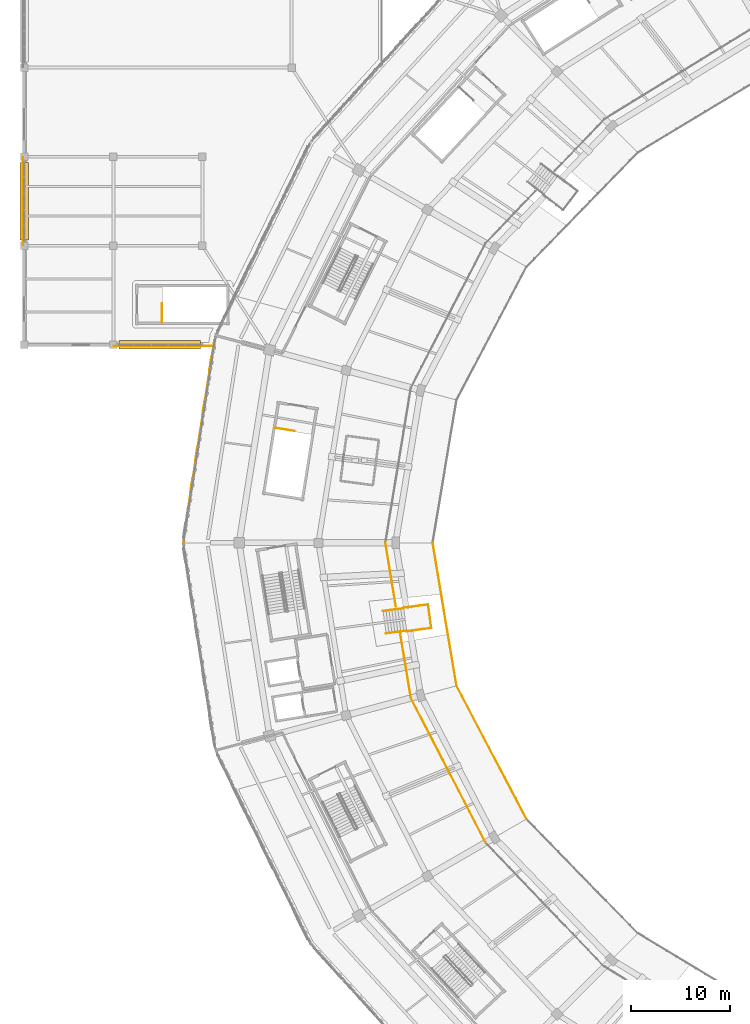
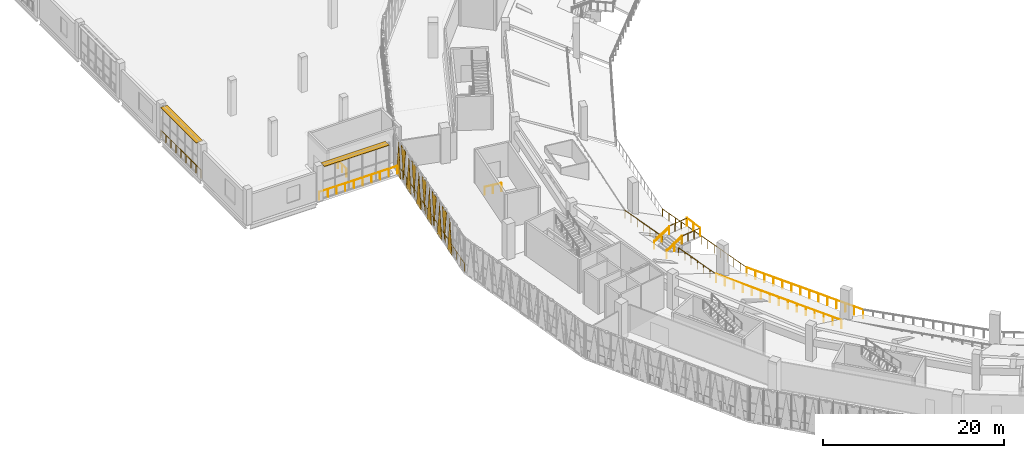
# One storey, part 122 of 152: 17 railings, 11 coverings, 2 shading devices.
"""IFC4 building model written with IfcOpenShell, lengths in metres."""

from ifc_helpers import new_model, si_unit, direction, frame, origin, origin_2d, place, context, subcontext, project, spatial, polyline, rectangle, circle, outline, extrude, material, layer, layer_set, type_object, element, save


model = new_model("IFC4")

# Units and contexts
model_context = context("Model", 3, precision=1e-05, world=origin(), true_north=direction((0.0, 1.0)))
body_context = subcontext(model_context, "Body", "Model", "MODEL_VIEW")
ifc_project = project(units=[si_unit("LENGTHUNIT", "METRE"), si_unit("AREAUNIT", "SQUARE_METRE"), si_unit("VOLUMEUNIT", "CUBIC_METRE"), si_unit("PLANEANGLEUNIT", "RADIAN"), si_unit("MASSUNIT", "GRAM", prefix="KILO")], contexts=[model_context])

# Site, building, storey
site_placement = place(None, origin())
site = spatial("IfcSite", under=ifc_project, at=site_placement, CompositionType="ELEMENT")
building_placement = place(site_placement, origin())
building = spatial("IfcBuilding", under=site, at=building_placement, Name="Zevraka Park Crest Stadium", CompositionType="ELEMENT")
storey_placement = place(building_placement, frame((0.0, 0.0, 15.0)))
storey = spatial("IfcBuildingStorey", under=building, at=storey_placement, Name="L03", CompositionType="ELEMENT", Elevation=15.0)

# Coverings
ifc_material_1 = material(Name="Architectural golden-bronze perforated aluminium", Category="aluminium")
ifc_layer_1 = layer(ifc_material_1, 0.034912109375)
ifc_layer_set_1 = layer_set([ifc_layer_1], Name="Architectural golden-bronze perforated aluminium")
covering_type = type_object("IfcCoveringType", Name="CLD01", PredefinedType="CLADDING", material=ifc_layer_set_1)
covering_1_placement = place(storey_placement, frame((19.18896484375, 112.43994140625, -0.260009765625), z_axis=(-0.988065896343, 0.154031762949, 2.2036412e-05), x_axis=(-0.154031762987, -0.988065896583, 0.0)))
element("IfcCovering", 1, at=covering_1_placement, inside=storey, type_object=covering_type, Name="Triangular Golden-Bronze Perforated Cladding L03-11-1", PredefinedType="CLADDING", context=body_context, shape_type="SweptSolid", body=[
    extrude(outline(polyline([(0.0, 0.0), (1.4027266125847992, 0.0), (0.7012238900741903, 4.620117188621773), (0.0, 0.0)])), origin(), (0.0, 0.0, -1.0), 0.034912109375),
])
covering_2_placement = place(storey_placement, frame((18.73193359375, 109.510009765625, 4.52001953125), z_axis=(0.988065896064, -0.154031762906, 3.2422008e-05), x_axis=(0.154031762987, 0.988065896583, 0.0)))
element("IfcCovering", 2, at=covering_2_placement, inside=storey, type_object=covering_type, Name="Triangular Golden-Bronze Perforated Cladding L03-11-2", PredefinedType="CLADDING", context=body_context, shape_type="SweptSolid", body=[
    extrude(outline(polyline([(0.0, 0.0), (1.4027266125847992, 8.470329472543003e-22), (0.7012614954850758, -4.3000488303850775), (0.0, 0.0)])), origin(), (0.0, 0.0, -1.0), 0.034912109375),
])
covering_3_placement = place(storey_placement, frame((18.70703125, 109.35205078125, -0.260009765625), z_axis=(-0.988065896134, 0.154031762917, 3.0175905e-05), x_axis=(-0.154031762987, -0.988065896583, 0.0)))
element("IfcCovering", 3, at=covering_3_placement, inside=storey, type_object=covering_type, Name="Triangular Golden-Bronze Perforated Cladding L03-11-3", PredefinedType="CLADDING", context=body_context, shape_type="SweptSolid", body=[
    extrude(outline(polyline([(0.0, 0.0), (1.4027266125847992, 0.0), (0.7014651170997235, 4.620117189603506), (0.0, 0.0)])), origin(), (0.0, 0.0, -1.0), 0.034912109375),
])
covering_4_placement = place(storey_placement, frame((18.25, 106.422119140625, 4.52001953125), z_axis=(-0.988065896306, 0.154031762944, 2.3676663e-05), x_axis=(0.154031762987, 0.988065896583, 0.0)))
element("IfcCovering", 4, at=covering_4_placement, inside=storey, type_object=covering_type, Name="Triangular Golden-Bronze Perforated Cladding L03-11-4", PredefinedType="CLADDING", context=body_context, shape_type="SweptSolid", body=[
    extrude(outline(polyline([(0.0, 0.0), (1.4027266125847992, 0.0), (0.7012238900741903, 4.3000488293302706), (0.0, 0.0)])), origin(), (0.0, 0.0, -1.0), 0.034912109375),
])
covering_5_placement = place(storey_placement, frame((18.22607421875, 106.262939453125, -0.260009765625), z_axis=(0.987959709877, -0.154711323248, 0.000134604467), x_axis=(-0.15471132465, -0.987959718827, 0.0)))
element("IfcCovering", 5, at=covering_5_placement, inside=storey, type_object=covering_type, Name="Triangular Golden-Bronze Perforated Cladding L03-11-5", PredefinedType="CLADDING", context=body_context, shape_type="SweptSolid", body=[
    extrude(outline(polyline([(0.0, 0.0), (1.402877366063389, 3.3881317890172014e-21), (0.7014125107788164, -4.62011722935448), (0.0, 0.0)])), origin(), (0.0, 0.0, -1.0), 0.034912109375),
])
covering_6_placement = place(storey_placement, frame((17.76806640625, 103.3330078125, 4.52001953125), z_axis=(-0.987959709712, 0.154711323222, 0.000135839642), x_axis=(0.15471132465, 0.987959718827, 0.0)))
element("IfcCovering", 6, at=covering_6_placement, inside=storey, type_object=covering_type, Name="Triangular Golden-Bronze Perforated Cladding L03-11-6", PredefinedType="CLADDING", context=body_context, shape_type="SweptSolid", body=[
    extrude(outline(polyline([(0.0, 0.0), (1.402877366063389, 3.3881317890172014e-21), (0.7012236541813434, 4.300048867798131), (0.0, 0.0)])), origin(), (0.0, 0.0, -1.0), 0.034912109375),
])
covering_7_placement = place(storey_placement, frame((17.743896484375, 103.175048828125, -0.260009765625), z_axis=(-0.987986299127, 0.154541453871, 0.000108499436), x_axis=(-0.154541454781, -0.987986304943, 0.0)))
element("IfcCovering", 7, at=covering_7_placement, inside=storey, type_object=covering_type, Name="Triangular Golden-Bronze Perforated Cladding L03-11-7", PredefinedType="CLADDING", context=body_context, shape_type="SweptSolid", body=[
    extrude(outline(polyline([(0.0, 0.0), (1.4028396154796832, 0.0), (0.7014649518421147, 4.620117214694304), (0.0, 0.0)])), origin(), (0.0, 0.0, -1.0), 0.034912109375),
])
covering_8_placement = place(storey_placement, frame((17.285888671875, 100.2451171875, 4.52001953125), z_axis=(0.987959708495, -0.154711323032, 0.00014462357), x_axis=(0.15471132465, 0.987959718827, 0.0)))
element("IfcCovering", 8, at=covering_8_placement, inside=storey, type_object=covering_type, Name="Triangular Golden-Bronze Perforated Cladding L03-11-8", PredefinedType="CLADDING", context=body_context, shape_type="SweptSolid", body=[
    extrude(outline(polyline([(0.0, 0.0), (1.4028773660633889, 0.0), (0.7014125107788164, -4.3000488730948625), (0.0, 0.0)])), origin(), (0.0, 0.0, -1.0), 0.034912109375),
])
covering_9_placement = place(storey_placement, frame((17.261962890625, 100.0869140625, -0.260009765625), z_axis=(-0.987959710931, 0.154711323413, 0.000126429064), x_axis=(-0.15471132465, -0.987959718827, 0.0)))
element("IfcCovering", 9, at=covering_9_placement, inside=storey, type_object=covering_type, Name="Triangular Golden-Bronze Perforated Cladding L03-11-9", PredefinedType="CLADDING", context=body_context, shape_type="SweptSolid", body=[
    extrude(outline(polyline([(0.0, 0.0), (1.402877366063389, 3.3881317890172014e-21), (0.7012236541813434, 4.62011722442469), (0.0, 0.0)])), origin(), (0.0, 0.0, -1.0), 0.034912109375),
])
covering_10_placement = place(storey_placement, frame((16.804931640625, 97.156005859375, 4.52001953125), z_axis=(0.988065896306, -0.154031762944, 2.3676663e-05), x_axis=(0.154031762987, 0.988065896583, 0.0)))
element("IfcCovering", 10, at=covering_10_placement, inside=storey, type_object=covering_type, Name="Triangular Golden-Bronze Perforated Cladding L03-11-10", PredefinedType="CLADDING", context=body_context, shape_type="SweptSolid", body=[
    extrude(outline(polyline([(0.0, 0.0), (1.4027266125847992, 0.0), (0.7015027225106089, -4.3000488293302706), (0.0, 0.0)])), origin(), (0.0, 0.0, -1.0), 0.034912109375),
])
covering_11_placement = place(storey_placement, frame((16.780029296875, 96.998046875, -0.260009765625), z_axis=(-0.988065896134, 0.154031762917, 3.0175905e-05), x_axis=(-0.154031762987, -0.988065896583, 0.0)))
element("IfcCovering", 11, at=covering_11_placement, inside=storey, type_object=covering_type, Name="Triangular Golden-Bronze Perforated Cladding L03-11-11", PredefinedType="CLADDING", context=body_context, shape_type="SweptSolid", body=[
    extrude(outline(polyline([(0.0, 0.0), (1.4027266125847992, 0.0), (0.7014651170997235, 4.620117189603506), (0.0, 0.0)])), origin(), (0.0, 0.0, -1.0), 0.034912109375),
])

# Railings
ifc_material_2 = material(Name="Galvanised and bronze-finished steel balustrade", Category="steel")
railing_type_1 = type_object("IfcRailingType", Name="GR01", PredefinedType="GUARDRAIL", material=ifc_material_2)
railing_1_placement = place(storey_placement, frame((16.071044921875, 92.0, 0.0)))
element("IfcRailing", 12, at=railing_1_placement, inside=storey, type_object=railing_type_1, Name="Deck Edge Protection Guardrail GR01 L03-47", PredefinedType="GUARDRAIL", context=body_context, shape_type="SweptSolid", body=[
    extrude(circle(Radius=0.02392578125, at=origin_2d()), frame((0.0, 0.0, 1.076171875), z_axis=(0.153618172752, 0.988130283414, 0.0), x_axis=(-0.988130283414, 0.153618172752, 0.0)), (0.0, 0.0, 1.0), 20.035888671875),
    extrude(circle(Radius=0.02099609375, at=origin_2d()), origin(), (0.0, 0.0, 1.0), 1.052001953125),
    extrude(circle(Radius=0.02099609375, at=origin_2d()), frame((0.18115234375, 1.16455078125, 0.0)), (0.0, 0.0, 1.0), 1.052001953125),
    extrude(circle(Radius=0.02099609375, at=origin_2d()), frame((0.362060546875, 2.3291015625, 0.0)), (0.0, 0.0, 1.0), 1.052001953125),
    extrude(circle(Radius=0.02099609375, at=origin_2d()), frame((0.543212890625, 3.493896484375, 0.0)), (0.0, 0.0, 1.0), 1.052001953125),
    extrude(circle(Radius=0.02099609375, at=origin_2d()), frame((0.72412109375, 4.658447265625, 0.0)), (0.0, 0.0, 1.0), 1.052001953125),
    extrude(circle(Radius=0.02099609375, at=origin_2d()), frame((0.9052734375, 5.822998046875, 0.0)), (0.0, 0.0, 1.0), 1.052001953125),
    extrude(circle(Radius=0.02099609375, at=origin_2d()), frame((1.08642578125, 6.987548828125, 0.0)), (0.0, 0.0, 1.0), 1.052001953125),
    extrude(circle(Radius=0.02099609375, at=origin_2d()), frame((1.267333984375, 8.152099609375, 0.0)), (0.0, 0.0, 1.0), 1.052001953125),
    extrude(circle(Radius=0.02099609375, at=origin_2d()), frame((1.448486328125, 9.316650390625, 0.0)), (0.0, 0.0, 1.0), 1.052001953125),
    extrude(circle(Radius=0.02099609375, at=origin_2d()), frame((1.62939453125, 10.4814453125, 0.0)), (0.0, 0.0, 1.0), 1.052001953125),
    extrude(circle(Radius=0.02099609375, at=origin_2d()), frame((1.810546875, 11.64599609375, 0.0)), (0.0, 0.0, 1.0), 1.052001953125),
    extrude(circle(Radius=0.02099609375, at=origin_2d()), frame((1.991455078125, 12.810546875, 0.0)), (0.0, 0.0, 1.0), 1.052001953125),
    extrude(circle(Radius=0.02099609375, at=origin_2d()), frame((2.172607421875, 13.97509765625, 0.0)), (0.0, 0.0, 1.0), 1.052001953125),
    extrude(circle(Radius=0.02099609375, at=origin_2d()), frame((2.353759765625, 15.1396484375, 0.0)), (0.0, 0.0, 1.0), 1.052001953125),
    extrude(circle(Radius=0.02099609375, at=origin_2d()), frame((2.53466796875, 16.30419921875, 0.0)), (0.0, 0.0, 1.0), 1.052001953125),
    extrude(circle(Radius=0.02099609375, at=origin_2d()), frame((2.7158203125, 17.468994140625, 0.0)), (0.0, 0.0, 1.0), 1.052001953125),
    extrude(circle(Radius=0.02099609375, at=origin_2d()), frame((2.896728515625, 18.633544921875, 0.0)), (0.0, 0.0, 1.0), 1.052001953125),
    extrude(circle(Radius=0.02099609375, at=origin_2d()), frame((3.077880859375, 19.798095703125, 0.0)), (0.0, 0.0, 1.0), 1.052001953125),
])
railing_2_placement = place(storey_placement, frame((19.02294921875, 111.89501953125, 0.0)))
element("IfcRailing", 13, at=railing_2_placement, inside=storey, type_object=railing_type_1, Name="Deck Edge Protection Guardrail GR01 L03-48", PredefinedType="GUARDRAIL", context=body_context, shape_type="SweptSolid", body=[
    extrude(circle(Radius=0.02392578125, at=origin_2d()), frame((0.0, 0.0, 1.076171875), z_axis=(-1.0, 0.0, 0.0), x_axis=(0.0, -1.0, 0.0)), (0.0, 0.0, 1.0), 9.95703125),
    extrude(circle(Radius=0.02099609375, at=origin_2d()), origin(), (0.0, 0.0, 1.0), 1.052001953125),
    extrude(circle(Radius=0.02099609375, at=origin_2d()), frame((-1.1064453125, 0.0, 0.0)), (0.0, 0.0, 1.0), 1.052001953125),
    extrude(circle(Radius=0.02099609375, at=origin_2d()), frame((-2.212646484375, 0.0, 0.0)), (0.0, 0.0, 1.0), 1.052001953125),
    extrude(circle(Radius=0.02099609375, at=origin_2d()), frame((-3.319091796875, 0.0, 0.0)), (0.0, 0.0, 1.0), 1.052001953125),
    extrude(circle(Radius=0.02099609375, at=origin_2d()), frame((-4.42529296875, 0.0, 0.0)), (0.0, 0.0, 1.0), 1.052001953125),
    extrude(circle(Radius=0.02099609375, at=origin_2d()), frame((-5.53173828125, 0.0, 0.0)), (0.0, 0.0, 1.0), 1.052001953125),
    extrude(circle(Radius=0.02099609375, at=origin_2d()), frame((-6.637939453125, 0.0, 0.0)), (0.0, 0.0, 1.0), 1.052001953125),
    extrude(circle(Radius=0.02099609375, at=origin_2d()), frame((-7.744384765625, 0.0, 0.0)), (0.0, 0.0, 1.0), 1.052001953125),
    extrude(circle(Radius=0.02099609375, at=origin_2d()), frame((-8.8505859375, 0.0, 0.0)), (0.0, 0.0, 1.0), 1.052001953125),
    extrude(circle(Radius=0.02099609375, at=origin_2d()), frame((-9.95703125, 0.0, 0.0)), (0.0, 0.0, 1.0), 1.052001953125),
])
railing_3_placement = place(storey_placement, frame((-0.10498046875, 122.06591796875, 0.0)))
element("IfcRailing", 14, at=railing_3_placement, inside=storey, type_object=railing_type_1, Name="Deck Edge Protection Guardrail GR01 L03-49", PredefinedType="GUARDRAIL", context=body_context, shape_type="SweptSolid", body=[
    extrude(circle(Radius=0.02392578125, at=origin_2d()), frame((0.0, 0.0, 1.076171875), z_axis=(0.0, 1.0, 0.0), x_axis=(-1.0, 0.0, 0.0)), (0.0, 0.0, 1.0), 8.8681640625),
    extrude(circle(Radius=0.02099609375, at=origin_2d()), origin(), (0.0, 0.0, 1.0), 1.052001953125),
    extrude(circle(Radius=0.02099609375, at=origin_2d()), frame((0.0, 1.1083984375, 0.0)), (0.0, 0.0, 1.0), 1.052001953125),
    extrude(circle(Radius=0.02099609375, at=origin_2d()), frame((0.0, 2.217041015625, 0.0)), (0.0, 0.0, 1.0), 1.052001953125),
    extrude(circle(Radius=0.02099609375, at=origin_2d()), frame((0.0, 3.32568359375, 0.0)), (0.0, 0.0, 1.0), 1.052001953125),
    extrude(circle(Radius=0.02099609375, at=origin_2d()), frame((0.0, 4.43408203125, 0.0)), (0.0, 0.0, 1.0), 1.052001953125),
    extrude(circle(Radius=0.02099609375, at=origin_2d()), frame((0.0, 5.54248046875, 0.0)), (0.0, 0.0, 1.0), 1.052001953125),
    extrude(circle(Radius=0.02099609375, at=origin_2d()), frame((0.0, 6.651123046875, 0.0)), (0.0, 0.0, 1.0), 1.052001953125),
    extrude(circle(Radius=0.02099609375, at=origin_2d()), frame((0.0, 7.759765625, 0.0)), (0.0, 0.0, 1.0), 1.052001953125),
    extrude(circle(Radius=0.02099609375, at=origin_2d()), frame((0.0, 8.8681640625, 0.0)), (0.0, 0.0, 1.0), 1.052001953125),
])
railing_4_placement = place(storey_placement, frame((36.48095703125, 92.010986328125, 0.0)))
element("IfcRailing", 15, at=railing_4_placement, inside=storey, type_object=railing_type_1, Name="Deck Edge Protection Guardrail GR01 L03-79", PredefinedType="GUARDRAIL", context=body_context, shape_type="SweptSolid", body=[
    extrude(circle(Radius=0.02392578125, at=origin_2d()), frame((0.0, 0.0, 1.076171875), z_axis=(0.16161667002, -0.98685361223, 0.0), x_axis=(0.98685361223, 0.16161667002, 0.0)), (0.0, 0.0, 1.0), 6.547119140625),
    extrude(circle(Radius=0.02099609375, at=origin_2d()), origin(), (0.0, 0.0, 1.0), 1.052001953125),
    extrude(circle(Radius=0.02099609375, at=origin_2d()), frame((0.17626953125, -1.076904296875, 0.0)), (0.0, 0.0, 1.0), 1.052001953125),
    extrude(circle(Radius=0.02099609375, at=origin_2d()), frame((0.352783203125, -2.153564453125, 0.0)), (0.0, 0.0, 1.0), 1.052001953125),
    extrude(circle(Radius=0.02099609375, at=origin_2d()), frame((0.529052734375, -3.23046875, 0.0)), (0.0, 0.0, 1.0), 1.052001953125),
    extrude(circle(Radius=0.02099609375, at=origin_2d()), frame((0.705322265625, -4.307373046875, 0.0)), (0.0, 0.0, 1.0), 1.052001953125),
    extrude(circle(Radius=0.02099609375, at=origin_2d()), frame((0.8818359375, -5.384033203125, 0.0)), (0.0, 0.0, 1.0), 1.052001953125),
    extrude(circle(Radius=0.02099609375, at=origin_2d()), frame((1.05810546875, -6.4609375, 0.0)), (0.0, 0.0, 1.0), 1.052001953125),
])
railing_5_placement = place(storey_placement, frame((37.992919921875, 82.785888671875, 0.0)))
element("IfcRailing", 16, at=railing_5_placement, inside=storey, type_object=railing_type_1, Name="Deck Edge Protection Guardrail GR01 L03-80", PredefinedType="GUARDRAIL", context=body_context, shape_type="SweptSolid", body=[
    extrude(circle(Radius=0.02392578125, at=origin_2d()), frame((0.0, 0.0, 1.076171875), z_axis=(0.162742913329, -0.986668507738, 0.0), x_axis=(0.986668507738, 0.162742913329, 0.0)), (0.0, 0.0, 1.0), 6.55126953125),
    extrude(circle(Radius=0.02099609375, at=origin_2d()), origin(), (0.0, 0.0, 1.0), 1.052001953125),
    extrude(circle(Radius=0.02099609375, at=origin_2d()), frame((0.177734375, -1.077392578125, 0.0)), (0.0, 0.0, 1.0), 1.052001953125),
    extrude(circle(Radius=0.02099609375, at=origin_2d()), frame((0.35546875, -2.154541015625, 0.0)), (0.0, 0.0, 1.0), 1.052001953125),
    extrude(circle(Radius=0.02099609375, at=origin_2d()), frame((0.533203125, -3.23193359375, 0.0)), (0.0, 0.0, 1.0), 1.052001953125),
    extrude(circle(Radius=0.02099609375, at=origin_2d()), frame((0.710693359375, -4.309326171875, 0.0)), (0.0, 0.0, 1.0), 1.052001953125),
    extrude(circle(Radius=0.02099609375, at=origin_2d()), frame((0.888427734375, -5.386474609375, 0.0)), (0.0, 0.0, 1.0), 1.052001953125),
    extrude(circle(Radius=0.02099609375, at=origin_2d()), frame((1.066162109375, -6.4638671875, 0.0)), (0.0, 0.0, 1.0), 1.052001953125),
])
railing_6_placement = place(storey_placement, frame((39.05908203125, 76.322021484375, 0.0)))
element("IfcRailing", 17, at=railing_6_placement, inside=storey, type_object=railing_type_1, Name="Deck Edge Protection Guardrail GR01 L03-81", PredefinedType="GUARDRAIL", context=body_context, shape_type="SweptSolid", body=[
    extrude(circle(Radius=0.02392578125, at=origin_2d()), frame((0.0, 0.0, 1.076171875), z_axis=(0.459295538886, -0.88828351778, 0.0), x_axis=(0.88828351778, 0.459295538886, 0.0)), (0.0, 0.0, 1.0), 16.425048828125),
    extrude(circle(Radius=0.02099609375, at=origin_2d()), origin(), (0.0, 0.0, 1.0), 1.052001953125),
    extrude(circle(Radius=0.02099609375, at=origin_2d()), frame((0.538818359375, -1.042236328125, 0.0)), (0.0, 0.0, 1.0), 1.052001953125),
    extrude(circle(Radius=0.02099609375, at=origin_2d()), frame((1.07763671875, -2.084228515625, 0.0)), (0.0, 0.0, 1.0), 1.052001953125),
    extrude(circle(Radius=0.02099609375, at=origin_2d()), frame((1.616455078125, -3.12646484375, 0.0)), (0.0, 0.0, 1.0), 1.052001953125),
    extrude(circle(Radius=0.02099609375, at=origin_2d()), frame((2.155517578125, -4.168701171875, 0.0)), (0.0, 0.0, 1.0), 1.052001953125),
    extrude(circle(Radius=0.02099609375, at=origin_2d()), frame((2.6943359375, -5.210693359375, 0.0)), (0.0, 0.0, 1.0), 1.052001953125),
    extrude(circle(Radius=0.02099609375, at=origin_2d()), frame((3.233154296875, -6.2529296875, 0.0)), (0.0, 0.0, 1.0), 1.052001953125),
    extrude(circle(Radius=0.02099609375, at=origin_2d()), frame((3.77197265625, -7.294921875, 0.0)), (0.0, 0.0, 1.0), 1.052001953125),
    extrude(circle(Radius=0.02099609375, at=origin_2d()), frame((4.310791015625, -8.337158203125, 0.0)), (0.0, 0.0, 1.0), 1.052001953125),
    extrude(circle(Radius=0.02099609375, at=origin_2d()), frame((4.849609375, -9.37939453125, 0.0)), (0.0, 0.0, 1.0), 1.052001953125),
    extrude(circle(Radius=0.02099609375, at=origin_2d()), frame((5.388427734375, -10.42138671875, 0.0)), (0.0, 0.0, 1.0), 1.052001953125),
    extrude(circle(Radius=0.02099609375, at=origin_2d()), frame((5.927490234375, -11.463623046875, 0.0)), (0.0, 0.0, 1.0), 1.052001953125),
    extrude(circle(Radius=0.02099609375, at=origin_2d()), frame((6.46630859375, -12.505859375, 0.0)), (0.0, 0.0, 1.0), 1.052001953125),
    extrude(circle(Radius=0.02099609375, at=origin_2d()), frame((7.005126953125, -13.5478515625, 0.0)), (0.0, 0.0, 1.0), 1.052001953125),
    extrude(circle(Radius=0.02099609375, at=origin_2d()), frame((7.5439453125, -14.590087890625, 0.0)), (0.0, 0.0, 1.0), 1.052001953125),
])
ifc_material_3 = material(Name="Laminated glass and stainless steel sightline bowl guard", Category="steel")
railing_type_2 = type_object("IfcRailingType", Name="GR02", PredefinedType="GUARDRAIL", material=ifc_material_3)
railing_7_placement = place(storey_placement, frame((41.25, 92.0, -1.5)))
element("IfcRailing", 18, at=railing_7_placement, inside=storey, type_object=railing_type_2, Name="Upper Tier Cantilever Sightline Guard GR02 12", PredefinedType="GUARDRAIL", context=body_context, shape_type="SweptSolid", body=[
    extrude(circle(Radius=0.02392578125, at=origin_2d()), frame((0.0, 0.0, 1.09619140625), z_axis=(0.164802211823, -0.986326635034, 0.0), x_axis=(0.986326635034, 0.164802211823, 0.0)), (0.0, 0.0, 1.0), 14.62890625),
    extrude(circle(Radius=0.02099609375, at=origin_2d()), origin(), (0.0, 0.0, 1.0), 1.072021484375),
    extrude(circle(Radius=0.02099609375, at=origin_2d()), frame((0.185546875, -1.10986328125, 0.0)), (0.0, 0.0, 1.0), 1.072021484375),
    extrude(circle(Radius=0.02099609375, at=origin_2d()), frame((0.370849609375, -2.2197265625, 0.0)), (0.0, 0.0, 1.0), 1.072021484375),
    extrude(circle(Radius=0.02099609375, at=origin_2d()), frame((0.556396484375, -3.329833984375, 0.0)), (0.0, 0.0, 1.0), 1.072021484375),
    extrude(circle(Radius=0.02099609375, at=origin_2d()), frame((0.74169921875, -4.439697265625, 0.0)), (0.0, 0.0, 1.0), 1.072021484375),
    extrude(circle(Radius=0.02099609375, at=origin_2d()), frame((0.92724609375, -5.549560546875, 0.0)), (0.0, 0.0, 1.0), 1.072021484375),
    extrude(circle(Radius=0.02099609375, at=origin_2d()), frame((1.11279296875, -6.659423828125, 0.0)), (0.0, 0.0, 1.0), 1.072021484375),
    extrude(circle(Radius=0.02099609375, at=origin_2d()), frame((1.298095703125, -7.76953125, 0.0)), (0.0, 0.0, 1.0), 1.072021484375),
    extrude(circle(Radius=0.02099609375, at=origin_2d()), frame((1.483642578125, -8.87939453125, 0.0)), (0.0, 0.0, 1.0), 1.072021484375),
    extrude(circle(Radius=0.02099609375, at=origin_2d()), frame((1.669189453125, -9.9892578125, 0.0)), (0.0, 0.0, 1.0), 1.072021484375),
    extrude(circle(Radius=0.02099609375, at=origin_2d()), frame((1.8544921875, -11.09912109375, 0.0)), (0.0, 0.0, 1.0), 1.072021484375),
    extrude(circle(Radius=0.02099609375, at=origin_2d()), frame((2.0400390625, -12.209228515625, 0.0)), (0.0, 0.0, 1.0), 1.072021484375),
    extrude(circle(Radius=0.02099609375, at=origin_2d()), frame((2.225341796875, -13.319091796875, 0.0)), (0.0, 0.0, 1.0), 1.072021484375),
    extrude(circle(Radius=0.02099609375, at=origin_2d()), frame((2.410888671875, -14.428955078125, 0.0)), (0.0, 0.0, 1.0), 1.072021484375),
])
railing_8_placement = place(storey_placement, frame((43.660888671875, 77.571044921875, -1.5)))
element("IfcRailing", 19, at=railing_8_placement, inside=storey, type_object=railing_type_2, Name="Upper Tier Cantilever Sightline Guard GR02 13", PredefinedType="GUARDRAIL", context=body_context, shape_type="SweptSolid", body=[
    extrude(circle(Radius=0.02392578125, at=origin_2d()), frame((0.0, 0.0, 1.09619140625), z_axis=(0.46529528059, -0.885155524109, 0.0), x_axis=(0.885155524109, 0.46529528059, 0.0)), (0.0, 0.0, 1.0), 15.190673828125),
    extrude(circle(Radius=0.02099609375, at=origin_2d()), origin(), (0.0, 0.0, 1.0), 1.072021484375),
    extrude(circle(Radius=0.02099609375, at=origin_2d()), frame((0.543701171875, -1.034423828125, 0.0)), (0.0, 0.0, 1.0), 1.072021484375),
    extrude(circle(Radius=0.02099609375, at=origin_2d()), frame((1.08740234375, -2.068603515625, 0.0)), (0.0, 0.0, 1.0), 1.072021484375),
    extrude(circle(Radius=0.02099609375, at=origin_2d()), frame((1.631103515625, -3.10302734375, 0.0)), (0.0, 0.0, 1.0), 1.072021484375),
    extrude(circle(Radius=0.02099609375, at=origin_2d()), frame((2.1748046875, -4.13720703125, 0.0)), (0.0, 0.0, 1.0), 1.072021484375),
    extrude(circle(Radius=0.02099609375, at=origin_2d()), frame((2.718505859375, -5.171630859375, 0.0)), (0.0, 0.0, 1.0), 1.072021484375),
    extrude(circle(Radius=0.02099609375, at=origin_2d()), frame((3.26220703125, -6.205810546875, 0.0)), (0.0, 0.0, 1.0), 1.072021484375),
    extrude(circle(Radius=0.02099609375, at=origin_2d()), frame((3.805908203125, -7.240234375, 0.0)), (0.0, 0.0, 1.0), 1.072021484375),
    extrude(circle(Radius=0.02099609375, at=origin_2d()), frame((4.349609375, -8.2744140625, 0.0)), (0.0, 0.0, 1.0), 1.072021484375),
    extrude(circle(Radius=0.02099609375, at=origin_2d()), frame((4.893310546875, -9.308837890625, 0.0)), (0.0, 0.0, 1.0), 1.072021484375),
    extrude(circle(Radius=0.02099609375, at=origin_2d()), frame((5.43701171875, -10.343017578125, 0.0)), (0.0, 0.0, 1.0), 1.072021484375),
    extrude(circle(Radius=0.02099609375, at=origin_2d()), frame((5.980712890625, -11.37744140625, 0.0)), (0.0, 0.0, 1.0), 1.072021484375),
    extrude(circle(Radius=0.02099609375, at=origin_2d()), frame((6.5244140625, -12.41162109375, 0.0)), (0.0, 0.0, 1.0), 1.072021484375),
    extrude(circle(Radius=0.02099609375, at=origin_2d()), frame((7.068115234375, -13.446044921875, 0.0)), (0.0, 0.0, 1.0), 1.072021484375),
])
ifc_material_4 = material(Name="Powder-coated tubular steel stairwell guard", Category="steel")
railing_type_3 = type_object("IfcRailingType", Name="GR03", PredefinedType="GUARDRAIL", material=ifc_material_4)
railing_9_placement = place(storey_placement, frame((25.345703125, 103.610595703125, 0.0)))
element("IfcRailing", 20, at=railing_9_placement, inside=storey, type_object=railing_type_3, Name="L03 ST12 top well guard 1", PredefinedType="GUARDRAIL", context=body_context, shape_type="SweptSolid", body=[
    extrude(circle(Radius=0.02392578125, at=origin_2d()), frame((0.0, 0.0, 1.076171875), z_axis=(0.987546899515, -0.157324890778, 0.0), x_axis=(0.157324890778, 0.987546899515, 0.0)), (0.0, 0.0, 1.0), 1.9599609375),
    extrude(circle(Radius=0.02099609375, at=origin_2d()), origin(), (0.0, 0.0, 1.0), 1.052001953125),
    extrude(circle(Radius=0.02099609375, at=origin_2d()), frame((0.9677734375, -0.154296875, 0.0)), (0.0, 0.0, 1.0), 1.052001953125),
    extrude(circle(Radius=0.02099609375, at=origin_2d()), frame((1.935546875, -0.308349609375, 0.0)), (0.0, 0.0, 1.0), 1.052001953125),
])
railing_10_placement = place(storey_placement, frame((13.89990234375, 114.25, 0.0)))
element("IfcRailing", 21, at=railing_10_placement, inside=storey, type_object=railing_type_3, Name="L03 ST48 top well guard 1", PredefinedType="GUARDRAIL", context=body_context, shape_type="SweptSolid", body=[
    extrude(circle(Radius=0.02392578125, at=origin_2d()), frame((0.0, 0.0, 1.076171875), z_axis=(0.0, 1.0, 0.0), x_axis=(-1.0, 0.0, 0.0)), (0.0, 0.0, 1.0), 1.909912109375),
    extrude(circle(Radius=0.02099609375, at=origin_2d()), origin(), (0.0, 0.0, 1.0), 1.052001953125),
    extrude(circle(Radius=0.02099609375, at=origin_2d()), frame((0.0, 0.955078125, 0.0)), (0.0, 0.0, 1.0), 1.052001953125),
    extrude(circle(Radius=0.02099609375, at=origin_2d()), frame((0.0, 1.909912109375, 0.0)), (0.0, 0.0, 1.0), 1.052001953125),
])
for number, where, name in (
    (22, (36.5390625, 82.85693359375, 0.14990234375), "Vomitory Flight Guard VS-13-1"),
    (23, (36.240966796875, 85.116943359375, 0.14990234375), "Vomitory Flight Guard VS-13-2"),
):
    element("IfcRailing", number, at=place(storey_placement, frame(where)), inside=storey, type_object=railing_type_3, Name=name, PredefinedType="GUARDRAIL", context=body_context, shape_type="SweptSolid", body=[
        extrude(circle(Radius=0.02392578125, at=origin_2d()), frame((0.0, 0.0, 1.076171875), z_axis=(0.886763862764, 0.116772492716, 0.447229288666), x_axis=(-0.130556761174, 0.991440836415, 0.0)), (0.0, 0.0, 1.0), 2.347900390625),
        extrude(circle(Radius=0.02099609375, at=origin_2d()), origin(), (0.0, 0.0, 1.0), 1.052001953125),
        extrude(circle(Radius=0.02099609375, at=origin_2d()), frame((1.041015625, 0.13720703125, 0.52490234375)), (0.0, 0.0, 1.0), 1.052001953125),
        extrude(circle(Radius=0.02099609375, at=origin_2d()), frame((2.08203125, 0.274169921875, 1.050048828125)), (0.0, 0.0, 1.0), 1.052001953125),
    ])
railing_11_placement = place(storey_placement, frame((38.60400390625, 83.068115234375, 1.199951171875)))
element("IfcRailing", 24, at=railing_11_placement, inside=storey, type_object=railing_type_3, Name="Vomitory Landing Guard VS-13-1", PredefinedType="GUARDRAIL", context=body_context, shape_type="SweptSolid", body=[
    extrude(circle(Radius=0.02392578125, at=origin_2d()), frame((0.0, 0.0, 1.076171875), z_axis=(0.991428602217, 0.130649633398, 0.0), x_axis=(-0.130649633398, 0.991428602217, 0.0)), (0.0, 0.0, 1.0), 2.524658203125),
    extrude(circle(Radius=0.02099609375, at=origin_2d()), origin(), (0.0, 0.0, 1.0), 1.052001953125),
    extrude(circle(Radius=0.02099609375, at=origin_2d()), frame((0.834228515625, 0.10986328125, 0.0)), (0.0, 0.0, 1.0), 1.052001953125),
    extrude(circle(Radius=0.02099609375, at=origin_2d()), frame((1.668701171875, 0.219970703125, 0.0)), (0.0, 0.0, 1.0), 1.052001953125),
    extrude(circle(Radius=0.02099609375, at=origin_2d()), frame((2.5029296875, 0.329833984375, 0.0)), (0.0, 0.0, 1.0), 1.052001953125),
])
railing_12_placement = place(storey_placement, frame((41.10693359375, 83.39794921875, 1.199951171875)))
element("IfcRailing", 25, at=railing_12_placement, inside=storey, type_object=railing_type_3, Name="Vomitory Landing Guard VS-13-2", PredefinedType="GUARDRAIL", context=body_context, shape_type="SweptSolid", body=[
    extrude(circle(Radius=0.02392578125, at=origin_2d()), frame((0.0, 0.0, 1.076171875), z_axis=(-0.130430826272, 0.991457411873, 0.0), x_axis=(-0.991457411873, -0.130430826272, 0.0)), (0.0, 0.0, 1.0), 2.399658203125),
    extrude(circle(Radius=0.02099609375, at=origin_2d()), origin(), (0.0, 0.0, 1.0), 1.052001953125),
    extrude(circle(Radius=0.02099609375, at=origin_2d()), frame((-0.156494140625, 1.189453125, 0.0)), (0.0, 0.0, 1.0), 1.052001953125),
    extrude(circle(Radius=0.02099609375, at=origin_2d()), frame((-0.31298828125, 2.379150390625, 0.0)), (0.0, 0.0, 1.0), 1.052001953125),
])
railing_13_placement = place(storey_placement, frame((40.7939453125, 85.777099609375, 1.199951171875)))
element("IfcRailing", 26, at=railing_13_placement, inside=storey, type_object=railing_type_3, Name="Vomitory Landing Guard VS-13-3", PredefinedType="GUARDRAIL", context=body_context, shape_type="SweptSolid", body=[
    extrude(circle(Radius=0.02392578125, at=origin_2d()), frame((0.0, 0.0, 1.076171875), z_axis=(-0.991466141497, -0.130364451691, 0.0), x_axis=(0.130364451691, -0.991466141497, 0.0)), (0.0, 0.0, 1.0), 2.5244140625),
    extrude(circle(Radius=0.02099609375, at=origin_2d()), origin(), (0.0, 0.0, 1.0), 1.052001953125),
    extrude(circle(Radius=0.02099609375, at=origin_2d()), frame((-0.834228515625, -0.109619140625, 0.0)), (0.0, 0.0, 1.0), 1.052001953125),
    extrude(circle(Radius=0.02099609375, at=origin_2d()), frame((-1.668701171875, -0.219482421875, 0.0)), (0.0, 0.0, 1.0), 1.052001953125),
    extrude(circle(Radius=0.02099609375, at=origin_2d()), frame((-2.5029296875, -0.3291015625, 0.0)), (0.0, 0.0, 1.0), 1.052001953125),
])
ifc_material_5 = material(Name="Brushed stainless steel continuous handrail", Category="steel")
railing_type_4 = type_object("IfcRailingType", Name="HR01", PredefinedType="HANDRAIL", material=ifc_material_5)
for number, where, name in (
    (27, (36.5390625, 82.85693359375, 0.14990234375), "Vomitory Handrail VS-13-1"),
    (28, (36.240966796875, 85.116943359375, 0.14990234375), "Vomitory Handrail VS-13-2"),
):
    element("IfcRailing", number, at=place(storey_placement, frame(where)), inside=storey, type_object=railing_type_4, Name=name, PredefinedType="HANDRAIL", context=body_context, shape_type="SweptSolid", body=[
        extrude(circle(Radius=0.02392578125, at=origin_2d()), frame((0.0, 0.0, 0.8759765625), z_axis=(0.886763862764, 0.116772492716, 0.447229288666), x_axis=(-0.130556761174, 0.991440836415, 0.0)), (0.0, 0.0, 1.0), 2.347900390625),
        extrude(circle(Radius=0.02099609375, at=origin_2d()), origin(), (0.0, 0.0, 1.0), 0.851806640625),
        extrude(circle(Radius=0.02099609375, at=origin_2d()), frame((1.041015625, 0.13720703125, 0.52490234375)), (0.0, 0.0, 1.0), 0.851806640625),
        extrude(circle(Radius=0.02099609375, at=origin_2d()), frame((2.08203125, 0.274169921875, 1.050048828125)), (0.0, 0.0, 1.0), 0.851806640625),
    ])

# Shading devices
ifc_material_6 = material(Name="Architectural golden-bronze anodised bronze", Category="aluminium")
ifc_layer_2 = layer(ifc_material_6, 0.06005859375)
ifc_layer_set_2 = layer_set([ifc_layer_2], Name="Architectural golden-bronze anodised bronze")
shading_device_type = type_object("IfcShadingDeviceType", Name="SHD01", PredefinedType="USERDEFINED", material=ifc_layer_set_2)
shading_device_1_placement = place(storey_placement, frame((0.0, 126.5, 4.4599609375), z_axis=(0.0, 0.0, 1.0), x_axis=(0.0, 1.0, 0.0)))
element("IfcShadingDevice", 29, at=shading_device_1_placement, inside=storey, type_object=shading_device_type, Name="Wing Bronze Solar Screen SHD01 L03-NW-W-2", ObjectType="SOLAR SCREEN", PredefinedType="USERDEFINED", context=body_context, shape_type="SweptSolid", body=[
    extrude(rectangle(XDim=7.8701171875, YDim=0.85009765625, at=origin_2d()), origin(), (0.0, 0.0, 1.0), 0.06005859375),
])
shading_device_2_placement = place(storey_placement, frame((13.68994140625, 112.0, 4.4599609375), z_axis=(0.0, 0.0, 1.0), x_axis=(-1.0, 0.0, 0.0)))
element("IfcShadingDevice", 30, at=shading_device_2_placement, inside=storey, type_object=shading_device_type, Name="Wing Bronze Solar Screen SHD01 L03-NW-S0-2", ObjectType="SOLAR SCREEN", PredefinedType="USERDEFINED", context=body_context, shape_type="SweptSolid", body=[
    extrude(rectangle(XDim=8.25, YDim=0.85009765625, at=origin_2d()), origin(), (0.0, 0.0, 1.0), 0.06005859375),
])

save(model, "model.ifc")
